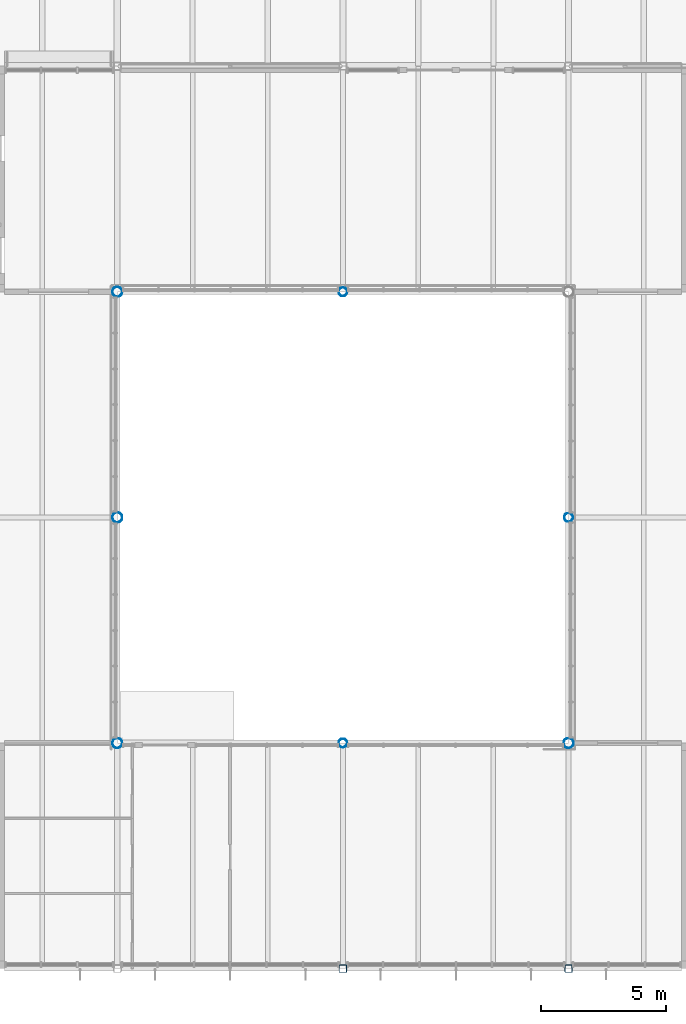
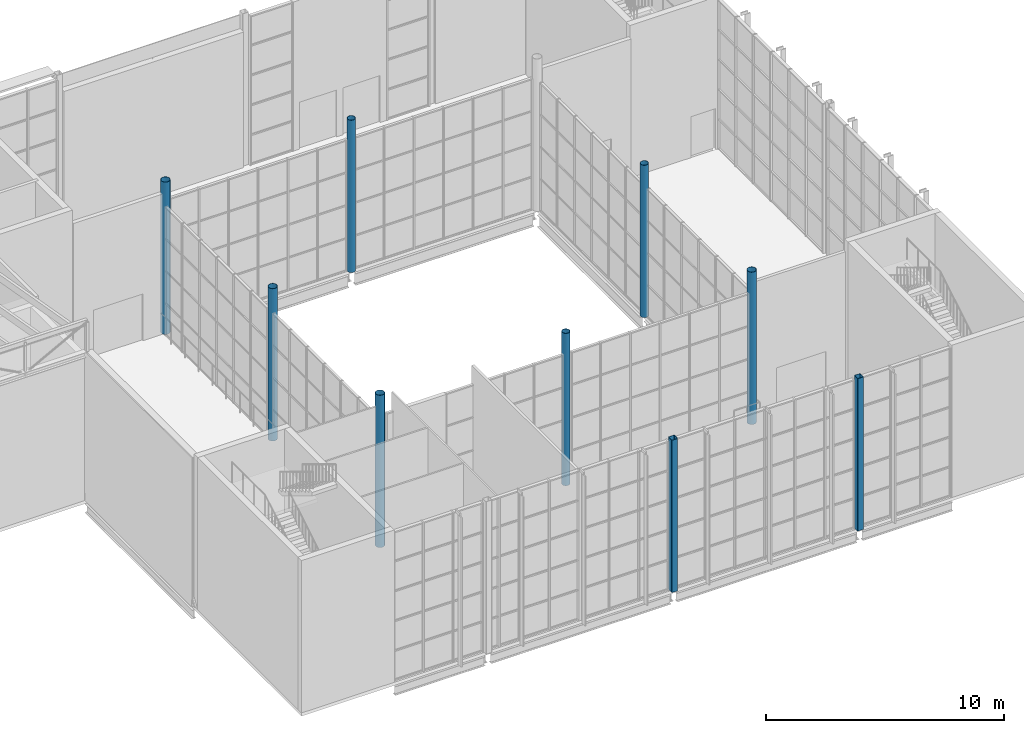
# One storey, part 5 of 90: 9 columns.
"""IFC4 building model written with IfcOpenShell, lengths in metres."""

from ifc_helpers import new_model, si_unit, direction, frame, origin, origin_2d, place, context, subcontext, project, spatial, hollow_rectangle, hollow_circle, extrude, material, material_profile, profile_set, type_object, element, save


model = new_model("IFC4")

# Units and contexts
model_context = context("Model", 3, precision=1e-05, world=origin(), true_north=direction((0.0, 1.0)))
body_context = subcontext(model_context, "Body", "Model", "MODEL_VIEW")
ifc_project = project(units=[si_unit("LENGTHUNIT", "METRE"), si_unit("AREAUNIT", "SQUARE_METRE"), si_unit("VOLUMEUNIT", "CUBIC_METRE"), si_unit("PLANEANGLEUNIT", "RADIAN"), si_unit("MASSUNIT", "GRAM", prefix="KILO")], contexts=[model_context])

# Site, building, storey
site_placement = place(None, origin())
site = spatial("IfcSite", under=ifc_project, at=site_placement, CompositionType="ELEMENT")
building_placement = place(site_placement, origin())
building = spatial("IfcBuilding", under=site, at=building_placement, Name="Halyard Row Museum", CompositionType="ELEMENT")
storey_placement = place(building_placement, frame((0.0, 0.0, 13.39990234375)))
storey = spatial("IfcBuildingStorey", under=building, at=storey_placement, Name="L03", CompositionType="ELEMENT", Elevation=13.39990234375)

# Columns
ifc_material_1 = material(Name="Steel Grade C350L0", Category="steel")
ifc_material_profile_1 = material_profile(ifc_material_1, hollow_rectangle(XDim=0.300048828125, YDim=0.300048828125, WallThickness=0.010009765625, InnerFilletRadius=0.014892578125, OuterFilletRadius=0.02490234375, at=origin_2d()), Name="300x300x10.0SHS")
ifc_profile_set_1 = profile_set([ifc_material_profile_1], Name="Steel Grade C350L0")
column_type_1 = type_object("IfcColumnType", Name="Column 300x300x10.0SHS edge", PredefinedType="COLUMN", material=ifc_profile_set_1)
column_1_placement = place(storey_placement, frame((90.0, 0.0, 0.0), z_axis=(0.0, 0.0, 1.0), x_axis=(1.0, 0.0, 0.0)))
element("IfcColumn", 1, at=column_1_placement, inside=storey, type_object=column_type_1, Name="Column 11A L03", PredefinedType="COLUMN", context=body_context, shape_type="SweptSolid", body=[
    extrude(hollow_rectangle(XDim=0.300048828125, YDim=0.300048828125, WallThickness=0.010009765625, InnerFilletRadius=0.014892578125, OuterFilletRadius=0.02490234375, at=origin_2d()), origin(), (0.0, 0.0, 1.0), 7.800048828125),
])
ifc_material_2 = material(Name="Steel Grade C350L0", Category="steel")
ifc_material_profile_2 = material_profile(ifc_material_2, hollow_rectangle(XDim=0.300048828125, YDim=0.300048828125, WallThickness=0.01611328125, InnerFilletRadius=0.02392578125, OuterFilletRadius=0.0400390625, at=origin_2d()), Name="300x300x16.0SHS")
ifc_profile_set_2 = profile_set([ifc_material_profile_2], Name="Steel Grade C350L0")
column_type_2 = type_object("IfcColumnType", Name="Column 300x300x16.0SHS edge", PredefinedType="COLUMN", material=ifc_profile_set_2)
column_2_placement = place(storey_placement, frame((99.0, 0.0, 0.0), z_axis=(0.0, 0.0, 1.0), x_axis=(1.0, 0.0, 0.0)))
element("IfcColumn", 2, at=column_2_placement, inside=storey, type_object=column_type_2, Name="Column 12A L03", PredefinedType="COLUMN", context=body_context, shape_type="SweptSolid", body=[
    extrude(hollow_rectangle(XDim=0.300048828125, YDim=0.300048828125, WallThickness=0.01611328125, InnerFilletRadius=0.02392578125, OuterFilletRadius=0.0400390625, at=origin_2d()), origin(), (0.0, 0.0, 1.0), 7.800048828125),
])
ifc_material_3 = material(Name="Steel Grade C350L0", Category="steel")
ifc_material_profile_3 = material_profile(ifc_material_3, hollow_circle(Radius=0.177734375, WallThickness=0.0126953125, at=origin_2d()), Name="355.6x12.7CHS")
ifc_profile_set_3 = profile_set([ifc_material_profile_3], Name="Steel Grade C350L0")
column_type_3 = type_object("IfcColumnType", Name="Column 355.6x12.7CHS atrium", PredefinedType="COLUMN", material=ifc_profile_set_3)
for number, where, z_axis, x_axis, name in (
    (3, (90.0, 9.0, 0.0), (0.0, 0.0, 1.0), (1.0, 0.0, 0.0), "Column 11B L03"),
    (4, (99.0, 18.0, 0.0), (0.0, 0.0, 1.0), (1.0, 0.0, 0.0), "Column 12C L03"),
    (5, (90.0, 27.0, 0.0), (0.0, 0.0, 1.0), (1.0, 0.0, 0.0), "Column 11D L03"),
):
    element("IfcColumn", number, at=place(storey_placement, frame(where, z_axis=z_axis, x_axis=x_axis)), inside=storey, type_object=column_type_3, Name=name, PredefinedType="COLUMN", context=body_context, shape_type="SweptSolid", body=[
        extrude(hollow_circle(Radius=0.177734375, WallThickness=0.0126953125, at=origin_2d()), origin(), (0.0, 0.0, 1.0), 7.800048828125),
    ])
ifc_material_4 = material(Name="Steel Grade C350L0", Category="steel")
ifc_material_profile_4 = material_profile(ifc_material_4, hollow_circle(Radius=0.203125, WallThickness=0.0126953125, at=origin_2d()), Name="406.4x12.7CHS")
ifc_profile_set_4 = profile_set([ifc_material_profile_4], Name="Steel Grade C350L0")
column_type_4 = type_object("IfcColumnType", Name="Column 406.4x12.7CHS atrium", PredefinedType="COLUMN", material=ifc_profile_set_4)
for number, where, z_axis, x_axis, name in (
    (6, (81.0, 9.0, 0.0), (0.0, 0.0, 1.0), (1.0, 0.0, 0.0), "Column 10B L03"),
    (7, (99.0, 9.0, 0.0), (0.0, 0.0, 1.0), (1.0, 0.0, 0.0), "Column 12B L03"),
    (8, (81.0, 18.0, 0.0), (0.0, 0.0, 1.0), (1.0, 0.0, 0.0), "Column 10C L03"),
    (9, (81.0, 27.0, 0.0), (0.0, 0.0, 1.0), (1.0, 0.0, 0.0), "Column 10D L03"),
):
    element("IfcColumn", number, at=place(storey_placement, frame(where, z_axis=z_axis, x_axis=x_axis)), inside=storey, type_object=column_type_4, Name=name, PredefinedType="COLUMN", context=body_context, shape_type="SweptSolid", body=[
        extrude(hollow_circle(Radius=0.203125, WallThickness=0.0126953125, at=origin_2d()), origin(), (0.0, 0.0, 1.0), 7.800048828125),
    ])

save(model, "model.ifc")
